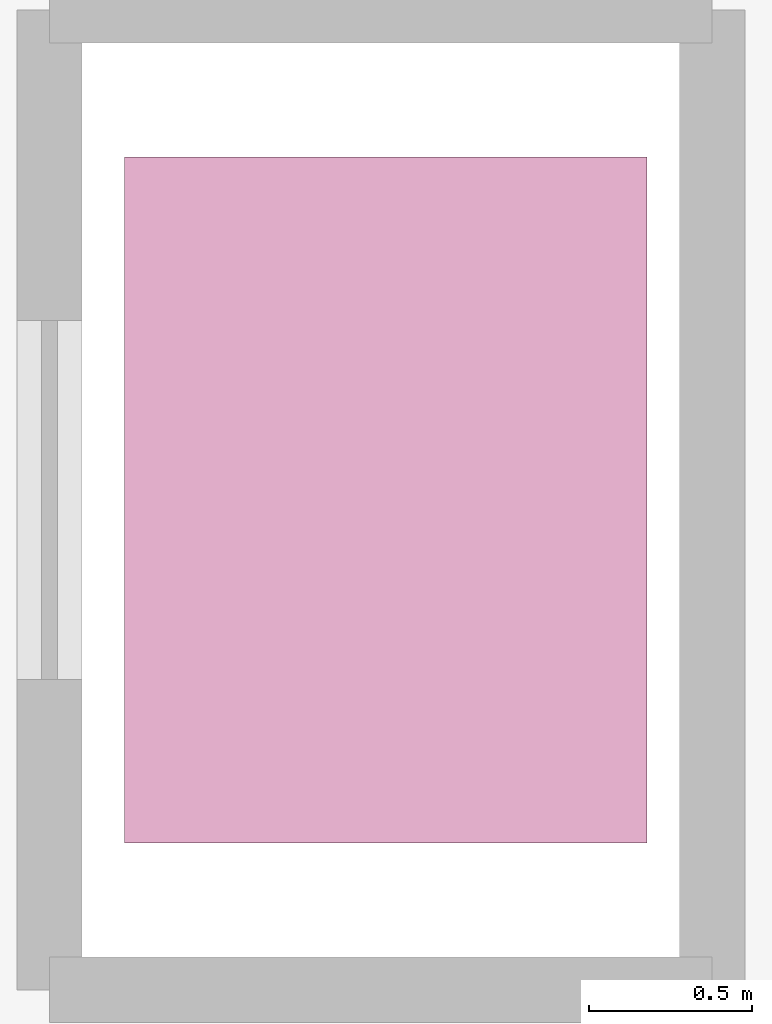
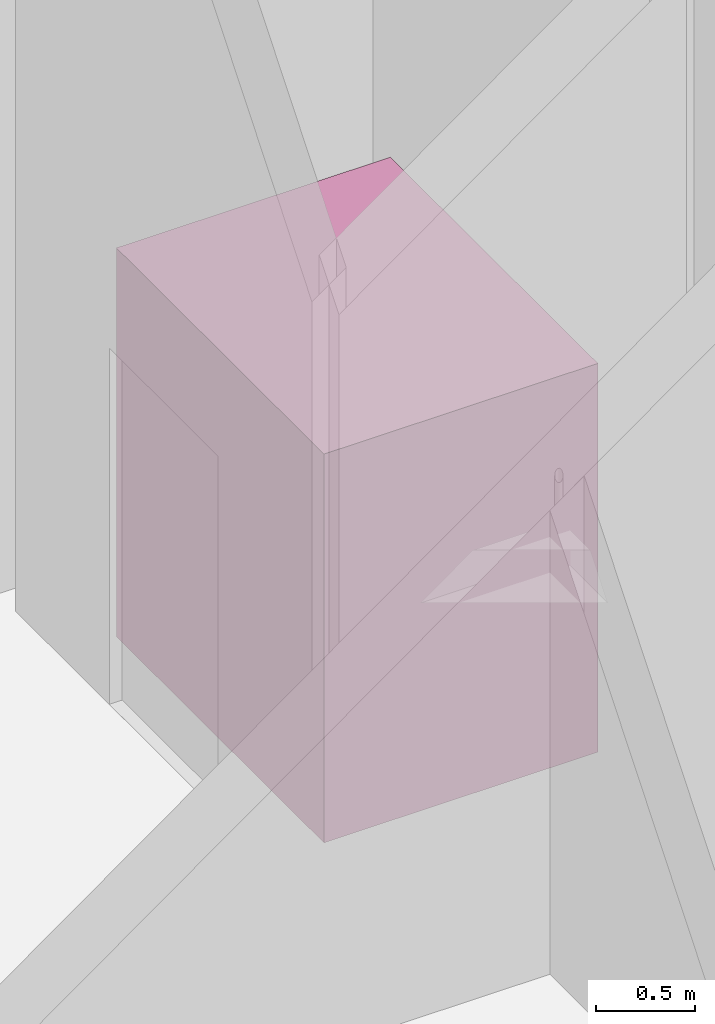
# One storey, part 85 of 85: 1 transport element.
"""IFC4 building model written with IfcOpenShell, lengths in metres."""

from ifc_helpers import new_model, si_unit, direction, frame, origin, origin_2d, place, context, subcontext, project, spatial, rectangle, extrude, material, type_object, element, save


model = new_model("IFC4")

# Units and contexts
model_context = context("Model", 3, precision=1e-05, world=origin(), true_north=direction((0.0, 1.0)))
body_context = subcontext(model_context, "Body", "Model", "MODEL_VIEW")
ifc_project = project(units=[si_unit("LENGTHUNIT", "METRE"), si_unit("AREAUNIT", "SQUARE_METRE"), si_unit("VOLUMEUNIT", "CUBIC_METRE"), si_unit("PLANEANGLEUNIT", "RADIAN"), si_unit("MASSUNIT", "GRAM", prefix="KILO"), si_unit("THERMODYNAMICTEMPERATUREUNIT", "KELVIN"), si_unit("POWERUNIT", "WATT")], contexts=[model_context])

# Site, building, storey
site_placement = place(None, origin())
site = spatial("IfcSite", under=ifc_project, at=site_placement, CompositionType="ELEMENT")
building_placement = place(site_placement, origin())
building = spatial("IfcBuilding", under=site, at=building_placement, Name="Solmara Park Aquatics Centre", CompositionType="ELEMENT")
storey_placement = place(building_placement, origin())
storey = spatial("IfcBuildingStorey", under=building, at=storey_placement, Name="L00", CompositionType="ELEMENT", Elevation=0.0)

# Transport element
ifc_material = material(Name="Brushed Stainless Steel Accessible Passenger Lift Car", Category="steel")
transport_element_type = type_object("IfcTransportElementType", Name="ARC-LFT-PAX1275", PredefinedType="ELEVATOR", material=ifc_material)
transport_element_placement = place(storey_placement, frame((176.64990234375, 73.0, 0.0), z_axis=(0.0, 0.0, 1.0), x_axis=(1.0, 0.0, 0.0)))
element("IfcTransportElement", 1, at=transport_element_placement, inside=storey, type_object=transport_element_type, Name="Foyer Accessible Lift LF-07", PredefinedType="ELEVATOR", context=body_context, shape_type="SweptSolid", body=[
    extrude(rectangle(XDim=1.60009765625, YDim=2.10009765625, at=origin_2d()), origin(), (0.0, 0.0, 1.0), 2.39990234375),
])

save(model, "model.ifc")
